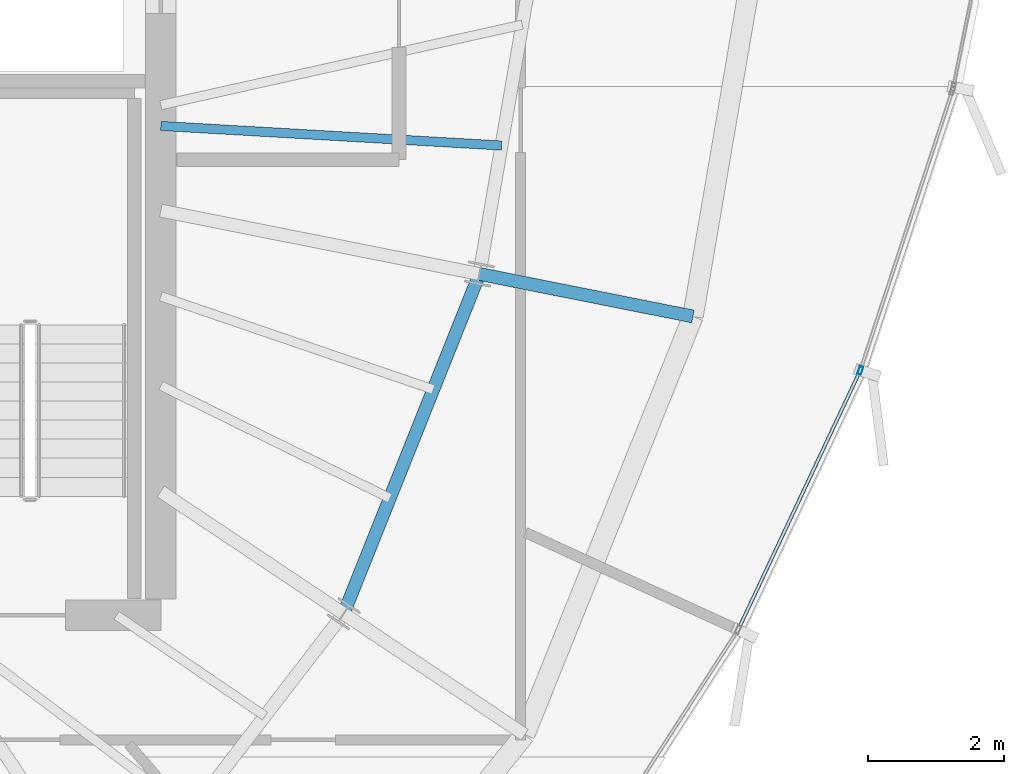
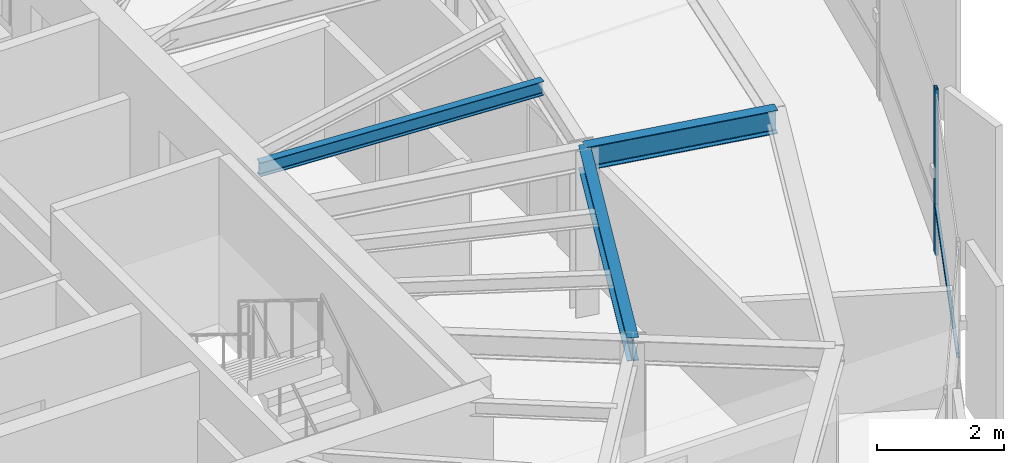
# One storey, part 14 of 35: 3 beams, 2 members, 1 element without a shape of its own.
"""IFC4 building model written with IfcOpenShell, lengths in metres."""

from ifc_helpers import new_model, si_unit, direction, frame, origin, origin_2d, place, context, subcontext, project, spatial, hollow_rectangle, i_section, extrude, source, transform, mapped, material, layer, layer_set, material_profile, profile_set, type_object, element, aggregate, save


model = new_model("IFC4")

# Units and contexts
model_context = context("Model", 3, precision=1e-05, world=origin(), true_north=direction((0.0, 1.0)))
body_context = subcontext(model_context, "Body", "Model", "MODEL_VIEW")
ifc_project = project(units=[si_unit("LENGTHUNIT", "METRE"), si_unit("AREAUNIT", "SQUARE_METRE"), si_unit("VOLUMEUNIT", "CUBIC_METRE"), si_unit("PLANEANGLEUNIT", "RADIAN"), si_unit("MASSUNIT", "GRAM", prefix="KILO"), si_unit("THERMODYNAMICTEMPERATUREUNIT", "KELVIN")], contexts=[model_context])

# Site, building, storey
site_placement = place(None, origin())
site = spatial("IfcSite", under=ifc_project, at=site_placement, CompositionType="ELEMENT")
building_placement = place(site_placement, origin())
building = spatial("IfcBuilding", under=site, at=building_placement, Name="Kethvar Cultural Tower", CompositionType="ELEMENT")
storey_placement = place(building_placement, frame((0.0, 0.0, 249.10009765625)))
storey = spatial("IfcBuildingStorey", under=building, at=storey_placement, Name="L65", CompositionType="ELEMENT", Elevation=249.10009765625)

# Beams
ifc_material_1 = material(Name="Steel S355J2", Category="steel")
ifc_material_profile_1 = material_profile(ifc_material_1, i_section(OverallWidth=0.18994140625, OverallDepth=0.449951171875, WebThickness=0.009521484375, FlangeThickness=0.0146484375, FilletRadius=0.02099609375, at=origin_2d()), Name="Steel S355J2 — IPE450")
ifc_profile_set_1 = profile_set([ifc_material_profile_1], Name="Steel S355J2 — IPE450")
beam_type_1 = type_object("IfcBeamType", Name="BM-IPE450", PredefinedType="BEAM", material=ifc_profile_set_1)
shared_shape_1 = source(origin(), body_context, "Body", "SweptSolid", [
    extrude(i_section(OverallWidth=0.18994140625, OverallDepth=0.449951171875, WebThickness=0.009521484375, FlangeThickness=0.0146484375, FilletRadius=0.02099609375, at=origin_2d()), origin(), (0.0, 0.0, 1.0), 3.199951171875),
])
beam_1_placement = place(storey_placement, frame((60.28369140625, 25.117919921875, 2.98291015625), z_axis=(0.980785550224, -0.195088965533, 0.0), x_axis=(0.195088965533, 0.980785550224, 0.0)))
element("IfcBeam", 1, at=beam_1_placement, inside=storey, type_object=beam_type_1, Name="L65 Perimeter Cantilever Beam RC-16", PredefinedType="BEAM", context=body_context, shape_type="MappedRepresentation", body=[
    mapped(shared_shape_1, transform((0.0, 0.0, 0.0), scale=1.0)),
])
shared_shape_2 = source(origin(), body_context, "Body", "SweptSolid", [
    extrude(i_section(OverallWidth=0.18994140625, OverallDepth=0.449951171875, WebThickness=0.009521484375, FlangeThickness=0.0146484375, FilletRadius=0.02099609375, at=origin_2d()), origin(), (0.0, 0.0, 1.0), 5.377685546875),
])
beam_2_placement = place(storey_placement, frame((58.287109375, 20.12451171875, 2.98291015625), z_axis=(0.371265436914, 0.928526776864, 0.0), x_axis=(-0.928526776864, 0.371265436914, 0.0)))
element("IfcBeam", 2, at=beam_2_placement, inside=storey, type_object=beam_type_1, Name="L65 Column Ring Tie Beam CR-15", PredefinedType="BEAM", context=body_context, shape_type="MappedRepresentation", body=[
    mapped(shared_shape_2, transform((0.0, 0.0, 0.0), scale=1.0)),
])
ifc_material_profile_2 = material_profile(ifc_material_1, i_section(OverallWidth=0.135009765625, OverallDepth=0.27001953125, WebThickness=0.006591796875, FlangeThickness=0.01025390625, FilletRadius=0.014892578125, at=origin_2d()), Name="Steel S355J2 — IPE270")
ifc_profile_set_2 = profile_set([ifc_material_profile_2], Name="Steel S355J2 — IPE270")
beam_type_2 = type_object("IfcBeamType", Name="BM-J270", PredefinedType="JOIST", material=ifc_profile_set_2)
shared_shape_3 = source(origin(), body_context, "Body", "SweptSolid", [
    extrude(i_section(OverallWidth=0.135009765625, OverallDepth=0.27001953125, WebThickness=0.006591796875, FlangeThickness=0.01025390625, FilletRadius=0.014892578125, at=origin_2d()), origin(), (0.0, 0.0, 1.0), 5.01611328125),
])
beam_3_placement = place(storey_placement, frame((55.60009765625, 27.294189453125, 3.072998046875), z_axis=(0.998352190078, -0.057383835418, 0.0), x_axis=(0.057383835418, 0.998352190078, 0.0)))
element("IfcBeam", 3, at=beam_3_placement, inside=storey, type_object=beam_type_2, Name="L65 Composite Floor Joist J-16A", PredefinedType="JOIST", context=body_context, shape_type="MappedRepresentation", body=[
    mapped(shared_shape_3, transform((0.0, 0.0, 0.0), scale=1.0)),
])

# Curtain wall, members
ifc_material_2 = material(Name="Aluminium 6063-T6", Category="aluminium")
ifc_layer = layer(ifc_material_2, 0.179931640625, Name="Aluminium 6063-T6", Category="aluminium")
ifc_layer_set = layer_set([ifc_layer], Name="Aluminium 6063-T6 (180 mm)")
curtain_wall_type = type_object("IfcCurtainWallType", Name="CW-SYS-05-Z56", PredefinedType="NOTDEFINED", material=ifc_layer_set)
curtain_wall_placement = place(storey_placement, origin())
curtain_wall = element("IfcCurtainWall", 4, at=curtain_wall_placement, inside=storey, type_object=curtain_wall_type, Name="L65 Curtain Wall Run 05", PredefinedType="NOTDEFINED")
ifc_material_profile_3 = material_profile(ifc_material_2, hollow_rectangle(XDim=0.054931640625, YDim=0.1201171875, WallThickness=0.00390625, at=origin_2d()), Name="Aluminium 6063-T6 — RHS120x55x4")
ifc_profile_set_3 = profile_set([ifc_material_profile_3], Name="Aluminium 6063-T6 — RHS120x55x4")
member_type_1 = type_object("IfcMemberType", Name="CW-SYS-05-Z56-MUL", PredefinedType="MULLION", material=ifc_profile_set_3)
shared_shape_4 = source(origin(), body_context, "Body", "SweptSolid", [
    extrude(hollow_rectangle(XDim=0.054931640625, YDim=0.1201171875, WallThickness=0.00390625, at=origin_2d()), origin(), (0.0, 0.0, 1.0), 3.2099609375),
])
member_1_placement = place(storey_placement, frame((65.882568359375, 23.700439453125, 0.0), z_axis=(0.0, 0.0, 1.0), x_axis=(-0.949879338075, 0.312616767142, 0.0)))
member_1 = element("IfcMember", 5, at=member_1_placement, type_object=member_type_1, Name="CW-L65-R05 Mullion 6", PredefinedType="MULLION", context=body_context, shape_type="MappedRepresentation", body=[
    mapped(shared_shape_4, transform((0.0, 0.0, 0.0), scale=1.0)),
])
ifc_material_profile_4 = material_profile(ifc_material_2, hollow_rectangle(XDim=0.050048828125, YDim=0.10009765625, WallThickness=0.00390625, at=origin_2d()), Name="Aluminium 6063-T6 — RHS100x50x4")
ifc_profile_set_4 = profile_set([ifc_material_profile_4], Name="Aluminium 6063-T6 — RHS100x50x4")
member_type_2 = type_object("IfcMemberType", Name="CW-SYS-05-Z56-TRN", PredefinedType="USERDEFINED", material=ifc_profile_set_4)
shared_shape_5 = source(origin(), body_context, "Body", "SweptSolid", [
    extrude(hollow_rectangle(XDim=0.050048828125, YDim=0.10009765625, WallThickness=0.00390625, at=origin_2d()), origin(), (0.0, 0.0, 1.0), 4.148193359375),
])
member_2_placement = place(storey_placement, frame((64.102294921875, 19.92333984375, 0.949951171875), z_axis=(0.426162630657, 0.904646567578, 0.0), x_axis=(-0.904646567578, 0.426162630657, 0.0)))
member_2 = element("IfcMember", 6, at=member_2_placement, type_object=member_type_2, Name="CW-L65-R05 Transom 5", ObjectType="TRANSOM", PredefinedType="USERDEFINED", context=body_context, shape_type="MappedRepresentation", body=[
    mapped(shared_shape_5, transform((0.0, 0.0, 0.0), scale=1.0)),
])
aggregate(curtain_wall, [member_1, member_2])

save(model, "model.ifc")
